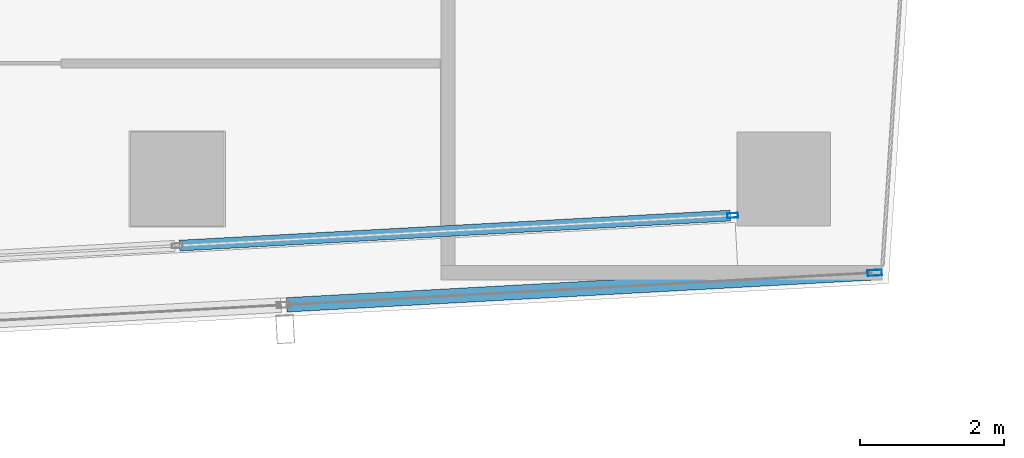
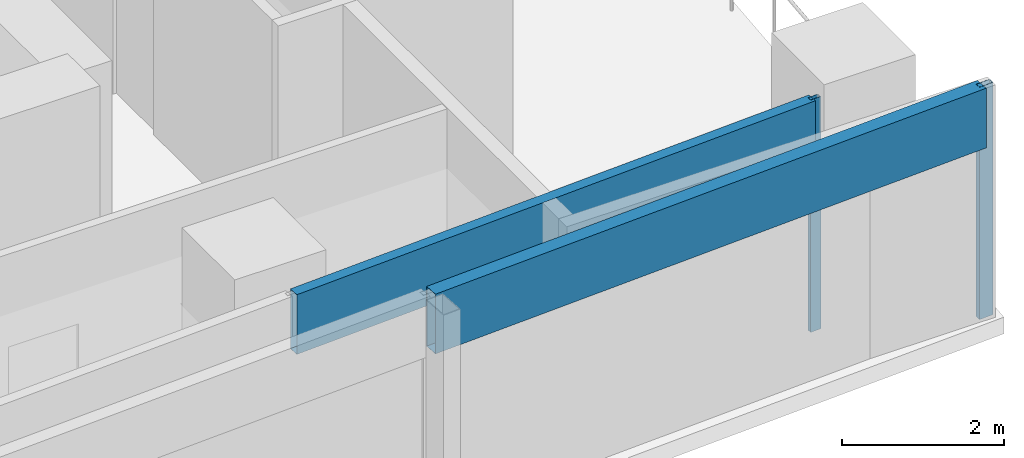
# One storey, part 11 of 26: 4 members, 2 elements without a shape of their own.
"""IFC4 building model written with IfcOpenShell, lengths in metres."""

import ifcopenshell
import ifcopenshell.guid

model = None  # the IFC model being written
_history = None  # IfcOwnerHistory: only IFC2X3 demands one
_inside = {}  # id of a spatial element -> (the spatial element, [elements in it])
_under = {}  # id of a project, library or spatial element -> (it, [spatial elements below it])
_declared = {}  # id of a project -> (the project, [libraries it declares])
_typed = {}  # id of a type object -> (the type object, [elements of that type])
_made_of = {}  # id of a material, layer set ... -> (it, [elements and type objects made of it])


def new_model(schema):
    """Start an empty IFC model of exactly this schema.

    Asked for "IFC4X3", IfcOpenShell would pick the latest addendum, in which some entities
    have other attributes; the version numbers below select the first issue.
    IFC2X3 requires an IfcOwnerHistory on every rooted entity: one is made here for all.
    """
    global model, _history
    if schema == "IFC4X3":
        model = ifcopenshell.file(schema_version=(4, 3, 0, 0))
    else:
        model = ifcopenshell.file(schema=schema)
    _inside.clear()
    _under.clear()
    _declared.clear()
    _typed.clear()
    _made_of.clear()
    _history = None
    if model.schema == "IFC2X3":
        org = make("IfcOrganization", Name="unknown")
        user = make(
            "IfcPersonAndOrganization",
            ThePerson=make("IfcPerson", FamilyName="unknown"),
            TheOrganization=org,
        )
        app = make(
            "IfcApplication",
            ApplicationDeveloper=org,
            Version="unknown",
            ApplicationFullName="unknown",
            ApplicationIdentifier="unknown",
        )
        _history = make(
            "IfcOwnerHistory",
            OwningUser=user,
            OwningApplication=app,
            ChangeAction="ADDED",
            CreationDate=0,
        )
    return model


def make(cls, **values):
    """One entity of the class cls with the attributes given. An attribute that is None is left unset."""
    return model.create_entity(
        cls, **{name: value for name, value in values.items() if value is not None}
    )


def rooted(cls, **values):
    """An entity with a GlobalId (a new one), such as an element, a storey or a relation."""
    return make(cls, GlobalId=ifcopenshell.guid.new(), OwnerHistory=_history, **values)


def si_unit(unit_type, name, prefix=None):
    """IfcSIUnit, for example si_unit("LENGTHUNIT", "METRE", prefix="MILLI")."""
    return make("IfcSIUnit", UnitType=unit_type, Prefix=prefix, Name=name)


def assignment(units):
    """IfcUnitAssignment: the units of a project."""
    return None if units is None else make("IfcUnitAssignment", Units=units)


def point(xyz):
    """IfcCartesianPoint."""
    return None if xyz is None else make("IfcCartesianPoint", Coordinates=xyz)


def direction(xyz):
    """IfcDirection."""
    return None if xyz is None else make("IfcDirection", DirectionRatios=xyz)


def frame(location, z_axis=None, x_axis=None):
    """IfcAxis2Placement3D, a coordinate frame: its origin and axes. An axis left out is left unset."""
    return make(
        "IfcAxis2Placement3D",
        Location=point(location),
        Axis=direction(z_axis),
        RefDirection=direction(x_axis),
    )


def frame_2d(location, x_axis=None):
    """IfcAxis2Placement2D, a coordinate frame in the plane: its origin and x axis."""
    return make(
        "IfcAxis2Placement2D", Location=point(location), RefDirection=direction(x_axis)
    )


def origin():
    """The frame at (0, 0, 0) with its axes left unset."""
    return frame((0.0, 0.0, 0.0))


def origin_2d():
    """The frame at (0, 0) in the plane with its x axis left unset."""
    return frame_2d((0.0, 0.0))


def place(relative_to, where):
    """IfcLocalPlacement: puts the frame where relative to a parent placement (None: the world)."""
    return make(
        "IfcLocalPlacement", PlacementRelTo=relative_to, RelativePlacement=where
    )


def context(
    kind, dimensions, precision=None, world=None, true_north=None, identifier=None
):
    """IfcGeometricRepresentationContext, for example the 3D "Model" context."""
    return make(
        "IfcGeometricRepresentationContext",
        ContextIdentifier=identifier,
        ContextType=kind,
        CoordinateSpaceDimension=dimensions,
        Precision=precision,
        WorldCoordinateSystem=world,
        TrueNorth=true_north,
    )


def subcontext(parent, identifier, kind, view, scale=None):
    """IfcGeometricRepresentationSubContext, for example "Body" below "Model"."""
    return make(
        "IfcGeometricRepresentationSubContext",
        ContextIdentifier=identifier,
        ContextType=kind,
        ParentContext=parent,
        TargetScale=scale,
        TargetView=view,
    )


def project(units=None, contexts=None):
    """IfcProject with its units and contexts."""
    return rooted(
        "IfcProject",
        Name="project",
        RepresentationContexts=contexts,
        UnitsInContext=assignment(units),
    )


def spatial(cls, under=None, at=None, **own):
    """A site, building, storey or space (cls), placed at a placement, below another one or the project."""
    s = rooted(cls, ObjectPlacement=at, **own)
    if under is not None:
        _under.setdefault(under.id(), (under, []))[1].append(s)
    return s


def profile(cls, at=None, kind="AREA", **sizes):
    """A parametric profile (cls). Its sizes go by their IFC names, for example OverallWidth=200.0."""
    return make(cls, ProfileType=kind, Position=at, **sizes)


def hollow_rectangle(**sizes):
    """IfcRectangleHollowProfileDef."""
    return profile("IfcRectangleHollowProfileDef", **sizes)


def extrude(swept, where, along, depth):
    """IfcExtrudedAreaSolid: the profile swept, set in the frame where, extruded along a direction by depth."""
    return make(
        "IfcExtrudedAreaSolid",
        SweptArea=swept,
        Position=where,
        ExtrudedDirection=direction(along),
        Depth=depth,
    )


def shape(context_of_items, identifier, shape_type, items):
    """IfcShapeRepresentation: the items that make up one representation, for example the "Body"."""
    return make(
        "IfcShapeRepresentation",
        ContextOfItems=context_of_items,
        RepresentationIdentifier=identifier,
        RepresentationType=shape_type,
        Items=items,
    )


def material(Name=None, Category=None):
    """IfcMaterial."""
    return make("IfcMaterial", Name=Name, Category=Category)


def material_profile(
    of_material, cross_section, Name=None, Category=None, Priority=None
):
    """IfcMaterialProfile: a cross section and its material."""
    return make(
        "IfcMaterialProfile",
        Name=Name,
        Material=of_material,
        Profile=cross_section,
        Priority=Priority,
        Category=Category,
    )


def profile_set(profiles, Name=None, composite=None):
    """IfcMaterialProfileSet."""
    return make(
        "IfcMaterialProfileSet",
        Name=Name,
        MaterialProfiles=profiles,
        CompositeProfile=composite,
    )


def made_of(thing, what):
    """Note that an element or type object is made of a material, layer set ...; save() writes the relation."""
    if what is not None:
        _made_of.setdefault(what.id(), (what, []))[1].append(thing)
    return thing


def type_object(cls, material=None, **own):
    """A type object (cls), such as IfcWallType, which elements share."""
    return made_of(rooted(cls, **own), material)


def element(
    cls,
    number,
    at=None,
    inside=None,
    cuts=None,
    type_object=None,
    material=None,
    context=None,
    identifier="Body",
    shape_type=None,
    held_by="IfcProductDefinitionShape",
    body=None,
    shapes=None,
    **own,
):
    """One element of the class cls, such as IfcWall. Its Tag is "e" and its number.

    at: its placement. inside: the storey or other place that contains it. cuts: it is an
    opening in that element (IfcRelVoidsElement). A single representation is given by context,
    identifier, shape_type and body (its items); several are given by shapes. held_by: the class
    of the entity that holds the representations. save() writes the other relations.
    """
    e = rooted(cls, Tag="e%d" % number, ObjectPlacement=at, **own)
    if body is not None:
        shapes = [shape(context, identifier, shape_type, body)]
    if shapes is not None:
        e.Representation = make(held_by, Representations=shapes)
    if inside is not None:
        _inside.setdefault(inside.id(), (inside, []))[1].append(e)
    if cuts is not None:
        rooted(
            "IfcRelVoidsElement", RelatingBuildingElement=cuts, RelatedOpeningElement=e
        )
    if type_object is not None:
        _typed.setdefault(type_object.id(), (type_object, []))[1].append(e)
    return made_of(e, material)


def aggregate(whole, parts):
    """IfcRelAggregates: a whole, such as a stair, and the parts it consists of."""
    return rooted("IfcRelAggregates", RelatingObject=whole, RelatedObjects=parts)


def save(model, path):
    """Write the relations noted so far, then the file.

    IfcRelAggregates (storeys below a building ...), IfcRelContainedInSpatialStructure (elements
    in a storey), IfcRelDefinesByType, IfcRelAssociatesMaterial and IfcRelDeclares: one each for
    every whole, place, type object, material and project.
    """
    for whole, parts in _under.values():
        aggregate(whole, parts)
    for where, things in _inside.values():
        rooted(
            "IfcRelContainedInSpatialStructure",
            RelatedElements=things,
            RelatingStructure=where,
        )
    for kind, things in _typed.values():
        rooted("IfcRelDefinesByType", RelatedObjects=things, RelatingType=kind)
    for what, things in _made_of.values():
        rooted("IfcRelAssociatesMaterial", RelatedObjects=things, RelatingMaterial=what)
    for by, libraries in _declared.values():
        rooted("IfcRelDeclares", RelatingContext=by, RelatedDefinitions=libraries)
    model.write(path)


model = new_model("IFC4")

# Units and contexts
model_context = context("Model", 3, precision=1e-05, world=origin(), true_north=direction((0.0, 1.0)))
body_context = subcontext(model_context, "Body", "Model", "MODEL_VIEW")
ifc_project = project(units=[si_unit("LENGTHUNIT", "METRE"), si_unit("AREAUNIT", "SQUARE_METRE"), si_unit("VOLUMEUNIT", "CUBIC_METRE"), si_unit("PLANEANGLEUNIT", "RADIAN"), si_unit("MASSUNIT", "GRAM", prefix="KILO")], contexts=[model_context])

# Site, building, storey
site_placement = place(None, origin())
site = spatial("IfcSite", under=ifc_project, at=site_placement, CompositionType="ELEMENT")
building_placement = place(site_placement, origin())
building = spatial("IfcBuilding", under=site, at=building_placement, Name="Rekha Terrace Tower", CompositionType="ELEMENT")
storey_placement = place(building_placement, frame((0.0, 0.0, 283.85009765625)))
storey = spatial("IfcBuildingStorey", under=building, at=storey_placement, Name="L72", CompositionType="ELEMENT", Elevation=283.85009765625)

# Curtain wall, members
ifc_material_1 = material(Name="Aluminium framing", Category="aluminium")
curtain_wall_type_1 = type_object("IfcCurtainWallType", Name="CW1 double skin inner glazing", PredefinedType="USERDEFINED", material=ifc_material_1)
curtain_wall_1_placement = place(storey_placement, origin())
curtain_wall_1 = element("IfcCurtainWall", 1, at=curtain_wall_1_placement, inside=storey, type_object=curtain_wall_type_1, Name="CW1 double skin inner glazing", ObjectType="DOUBLE SKIN INNER GLAZING", PredefinedType="USERDEFINED")
ifc_material_2 = material(Name="Aluminium mullion section", Category="aluminium")
ifc_material_profile_1 = material_profile(ifc_material_2, hollow_rectangle(XDim=0.06494140625, YDim=0.14990234375, WallThickness=0.00390625, at=origin_2d()), Name="AL RHS 65x150")
ifc_profile_set_1 = profile_set([ifc_material_profile_1], Name="Aluminium mullion section")
member_type_1 = type_object("IfcMemberType", Name="CW1 mullion RHS 65 x 150", PredefinedType="MULLION", material=ifc_profile_set_1)
member_1_placement = place(storey_placement, frame((58.092529296875, 16.2939453125, 0.0), z_axis=(0.0, 0.0, 1.0), x_axis=(-0.054388903036, 0.998519828159, 0.0)))
member_1 = element("IfcMember", 2, at=member_1_placement, type_object=member_type_1, Name="CW1 mullion 5", PredefinedType="MULLION", context=body_context, shape_type="SweptSolid", body=[
    extrude(hollow_rectangle(XDim=0.06494140625, YDim=0.14990234375, WallThickness=0.00390625, at=origin_2d()), origin(), (0.0, 0.0, 1.0), 3.5),
])
ifc_material_3 = material(Name="Insulated aluminium spandrel box", Category="aluminium")
ifc_material_profile_2 = material_profile(ifc_material_3, hollow_rectangle(XDim=0.14990234375, YDim=0.89990234375, WallThickness=0.0029296875, at=origin_2d()), Name="AL SPANDREL BOX 150x900")
ifc_profile_set_2 = profile_set([ifc_material_profile_2], Name="Insulated aluminium spandrel box")
member_type_2 = type_object("IfcMemberType", Name="CW1 spandrel transom 150 x 900", PredefinedType="USERDEFINED", material=ifc_profile_set_2)
member_2_placement = place(storey_placement, frame((50.431640625, 15.876708984375, 3.0498046875), z_axis=(0.998519749799, 0.054390341617, 0.0), x_axis=(-0.054390341617, 0.998519749799, 0.0)))
member_2 = element("IfcMember", 3, at=member_2_placement, type_object=member_type_2, Name="CW1 spandrel transom 4", ObjectType="TRANSOM", PredefinedType="USERDEFINED", context=body_context, shape_type="SweptSolid", body=[
    extrude(hollow_rectangle(XDim=0.14990234375, YDim=0.89990234375, WallThickness=0.0029296875, at=origin_2d()), origin(), (0.0, 0.0, 1.0), 7.6396484375),
])
aggregate(curtain_wall_1, [member_1, member_2])

curtain_wall_type_2 = type_object("IfcCurtainWallType", Name="CW2 double skin outer glazing", PredefinedType="USERDEFINED", material=ifc_material_1)
curtain_wall_2_placement = place(storey_placement, origin())
curtain_wall_2 = element("IfcCurtainWall", 4, at=curtain_wall_2_placement, inside=storey, type_object=curtain_wall_type_2, Name="CW2 double skin outer glazing", ObjectType="DOUBLE SKIN OUTER GLAZING", PredefinedType="USERDEFINED")
ifc_material_profile_3 = material_profile(ifc_material_2, hollow_rectangle(XDim=0.080078125, YDim=0.199951171875, WallThickness=0.00390625, at=origin_2d()), Name="AL RHS 80x200")
ifc_profile_set_3 = profile_set([ifc_material_profile_3], Name="Aluminium mullion section")
member_type_3 = type_object("IfcMemberType", Name="CW2 mullion RHS 80 x 200", PredefinedType="MULLION", material=ifc_profile_set_3)
member_3_placement = place(storey_placement, frame((60.059814453125, 15.499755859375, 0.0), z_axis=(0.0, 0.0, 1.0), x_axis=(-0.054388903071, 0.998519828157, 0.0)))
member_3 = element("IfcMember", 5, at=member_3_placement, type_object=member_type_3, Name="CW2 mullion 5", PredefinedType="MULLION", context=body_context, shape_type="SweptSolid", body=[
    extrude(hollow_rectangle(XDim=0.080078125, YDim=0.199951171875, WallThickness=0.00390625, at=origin_2d()), origin(), (0.0, 0.0, 1.0), 3.5),
])
ifc_material_profile_4 = material_profile(ifc_material_3, hollow_rectangle(XDim=0.199951171875, YDim=0.89990234375, WallThickness=0.0029296875, at=origin_2d()), Name="AL SPANDREL BOX 200x900")
ifc_profile_set_4 = profile_set([ifc_material_profile_4], Name="Insulated aluminium spandrel box")
member_type_4 = type_object("IfcMemberType", Name="CW2 spandrel transom 200 x 900", PredefinedType="USERDEFINED", material=ifc_profile_set_4)
member_4_placement = place(storey_placement, frame((51.91650390625, 15.056396484375, 3.0498046875), z_axis=(0.998519661636, 0.054391960117, 0.0), x_axis=(-0.054391960117, 0.998519661636, 0.0)))
member_4 = element("IfcMember", 6, at=member_4_placement, type_object=member_type_4, Name="CW2 spandrel transom 4", ObjectType="TRANSOM", PredefinedType="USERDEFINED", context=body_context, shape_type="SweptSolid", body=[
    extrude(hollow_rectangle(XDim=0.199951171875, YDim=0.89990234375, WallThickness=0.0029296875, at=origin_2d()), origin(), (0.0, 0.0, 1.0), 8.115234375),
])
aggregate(curtain_wall_2, [member_3, member_4])

save(model, "model.ifc")
